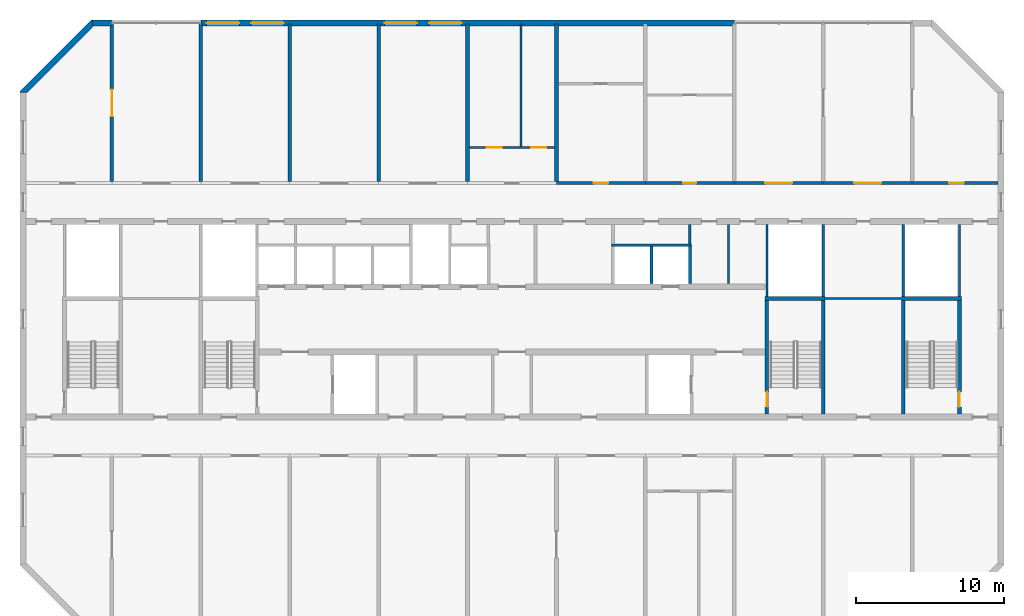
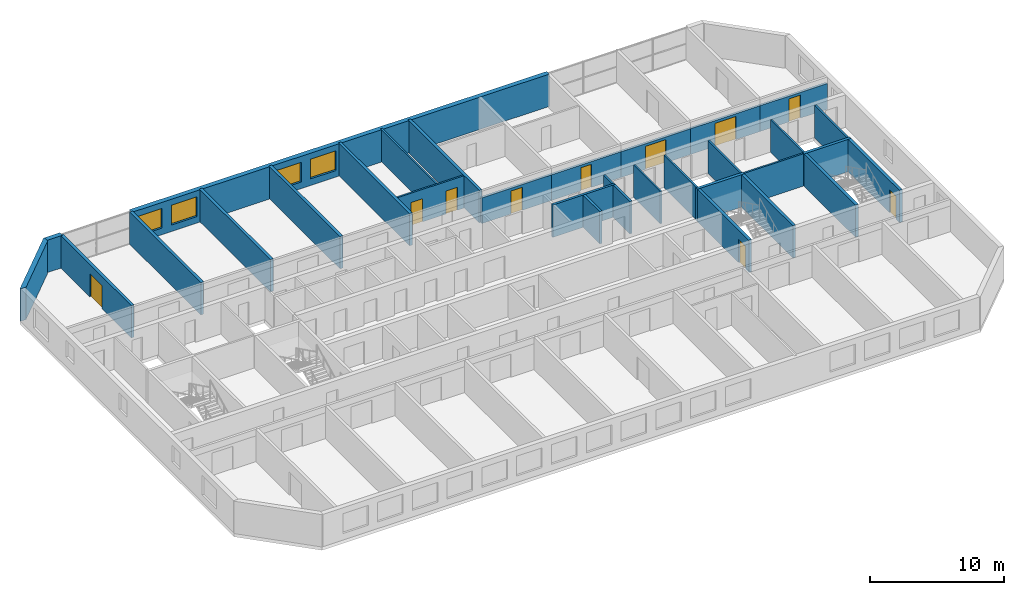
# One storey, part 9 of 13: 32 walls, 10 doors, 4 windows, 14 openings.
"""IFC4 building model written with IfcOpenShell, lengths in metres."""

import ifcopenshell
import ifcopenshell.guid

model = None  # the IFC model being written
_history = None  # IfcOwnerHistory: only IFC2X3 demands one
_inside = {}  # id of a spatial element -> (the spatial element, [elements in it])
_under = {}  # id of a project, library or spatial element -> (it, [spatial elements below it])
_declared = {}  # id of a project -> (the project, [libraries it declares])
_typed = {}  # id of a type object -> (the type object, [elements of that type])
_made_of = {}  # id of a material, layer set ... -> (it, [elements and type objects made of it])


def new_model(schema):
    """Start an empty IFC model of exactly this schema.

    Asked for "IFC4X3", IfcOpenShell would pick the latest addendum, in which some entities
    have other attributes; the version numbers below select the first issue.
    IFC2X3 requires an IfcOwnerHistory on every rooted entity: one is made here for all.
    """
    global model, _history
    if schema == "IFC4X3":
        model = ifcopenshell.file(schema_version=(4, 3, 0, 0))
    else:
        model = ifcopenshell.file(schema=schema)
    _inside.clear()
    _under.clear()
    _declared.clear()
    _typed.clear()
    _made_of.clear()
    _history = None
    if model.schema == "IFC2X3":
        org = make("IfcOrganization", Name="unknown")
        user = make(
            "IfcPersonAndOrganization",
            ThePerson=make("IfcPerson", FamilyName="unknown"),
            TheOrganization=org,
        )
        app = make(
            "IfcApplication",
            ApplicationDeveloper=org,
            Version="unknown",
            ApplicationFullName="unknown",
            ApplicationIdentifier="unknown",
        )
        _history = make(
            "IfcOwnerHistory",
            OwningUser=user,
            OwningApplication=app,
            ChangeAction="ADDED",
            CreationDate=0,
        )
    return model


def make(cls, **values):
    """One entity of the class cls with the attributes given. An attribute that is None is left unset."""
    return model.create_entity(
        cls, **{name: value for name, value in values.items() if value is not None}
    )


def rooted(cls, **values):
    """An entity with a GlobalId (a new one), such as an element, a storey or a relation."""
    return make(cls, GlobalId=ifcopenshell.guid.new(), OwnerHistory=_history, **values)


def si_unit(unit_type, name, prefix=None):
    """IfcSIUnit, for example si_unit("LENGTHUNIT", "METRE", prefix="MILLI")."""
    return make("IfcSIUnit", UnitType=unit_type, Prefix=prefix, Name=name)


def assignment(units):
    """IfcUnitAssignment: the units of a project."""
    return None if units is None else make("IfcUnitAssignment", Units=units)


def point(xyz):
    """IfcCartesianPoint."""
    return None if xyz is None else make("IfcCartesianPoint", Coordinates=xyz)


def direction(xyz):
    """IfcDirection."""
    return None if xyz is None else make("IfcDirection", DirectionRatios=xyz)


def frame(location, z_axis=None, x_axis=None):
    """IfcAxis2Placement3D, a coordinate frame: its origin and axes. An axis left out is left unset."""
    return make(
        "IfcAxis2Placement3D",
        Location=point(location),
        Axis=direction(z_axis),
        RefDirection=direction(x_axis),
    )


def frame_2d(location, x_axis=None):
    """IfcAxis2Placement2D, a coordinate frame in the plane: its origin and x axis."""
    return make(
        "IfcAxis2Placement2D", Location=point(location), RefDirection=direction(x_axis)
    )


def origin():
    """The frame at (0, 0, 0) with its axes left unset."""
    return frame((0.0, 0.0, 0.0))


def place(relative_to, where):
    """IfcLocalPlacement: puts the frame where relative to a parent placement (None: the world)."""
    return make(
        "IfcLocalPlacement", PlacementRelTo=relative_to, RelativePlacement=where
    )


def context(
    kind, dimensions, precision=None, world=None, true_north=None, identifier=None
):
    """IfcGeometricRepresentationContext, for example the 3D "Model" context."""
    return make(
        "IfcGeometricRepresentationContext",
        ContextIdentifier=identifier,
        ContextType=kind,
        CoordinateSpaceDimension=dimensions,
        Precision=precision,
        WorldCoordinateSystem=world,
        TrueNorth=true_north,
    )


def subcontext(parent, identifier, kind, view, scale=None):
    """IfcGeometricRepresentationSubContext, for example "Body" below "Model"."""
    return make(
        "IfcGeometricRepresentationSubContext",
        ContextIdentifier=identifier,
        ContextType=kind,
        ParentContext=parent,
        TargetScale=scale,
        TargetView=view,
    )


def project(units=None, contexts=None):
    """IfcProject with its units and contexts."""
    return rooted(
        "IfcProject",
        Name="project",
        RepresentationContexts=contexts,
        UnitsInContext=assignment(units),
    )


def spatial(cls, under=None, at=None, **own):
    """A site, building, storey or space (cls), placed at a placement, below another one or the project."""
    s = rooted(cls, ObjectPlacement=at, **own)
    if under is not None:
        _under.setdefault(under.id(), (under, []))[1].append(s)
    return s


def polyline(points):
    """IfcPolyline through the points."""
    return make("IfcPolyline", Points=[point(p) for p in points])


def profile(cls, at=None, kind="AREA", **sizes):
    """A parametric profile (cls). Its sizes go by their IFC names, for example OverallWidth=200.0."""
    return make(cls, ProfileType=kind, Position=at, **sizes)


def rectangle(**sizes):
    """IfcRectangleProfileDef."""
    return profile("IfcRectangleProfileDef", **sizes)


def outline(outer, holes=None, kind="AREA"):
    """IfcArbitraryClosedProfileDef: a profile drawn as a closed curve; with holes, ...WithVoids."""
    if holes is None:
        return make("IfcArbitraryClosedProfileDef", ProfileType=kind, OuterCurve=outer)
    return make(
        "IfcArbitraryProfileDefWithVoids",
        ProfileType=kind,
        OuterCurve=outer,
        InnerCurves=holes,
    )


def extrude(swept, where, along, depth):
    """IfcExtrudedAreaSolid: the profile swept, set in the frame where, extruded along a direction by depth."""
    return make(
        "IfcExtrudedAreaSolid",
        SweptArea=swept,
        Position=where,
        ExtrudedDirection=direction(along),
        Depth=depth,
    )


def shape(context_of_items, identifier, shape_type, items):
    """IfcShapeRepresentation: the items that make up one representation, for example the "Body"."""
    return make(
        "IfcShapeRepresentation",
        ContextOfItems=context_of_items,
        RepresentationIdentifier=identifier,
        RepresentationType=shape_type,
        Items=items,
    )


def material(Name=None, Category=None):
    """IfcMaterial."""
    return make("IfcMaterial", Name=Name, Category=Category)


def layer(
    of_material, thickness, ventilated=None, Name=None, Category=None, Priority=None
):
    """IfcMaterialLayer: one layer of a wall or slab, of a material (None: an air gap)."""
    return make(
        "IfcMaterialLayer",
        Material=of_material,
        LayerThickness=thickness,
        IsVentilated=ventilated,
        Name=Name,
        Category=Category,
        Priority=Priority,
    )


def layer_set(layers, Name=None):
    """IfcMaterialLayerSet."""
    return make("IfcMaterialLayerSet", MaterialLayers=layers, LayerSetName=Name)


def made_of(thing, what):
    """Note that an element or type object is made of a material, layer set ...; save() writes the relation."""
    if what is not None:
        _made_of.setdefault(what.id(), (what, []))[1].append(thing)
    return thing


def type_object(cls, material=None, **own):
    """A type object (cls), such as IfcWallType, which elements share."""
    return made_of(rooted(cls, **own), material)


def element(
    cls,
    number,
    at=None,
    inside=None,
    cuts=None,
    type_object=None,
    material=None,
    context=None,
    identifier="Body",
    shape_type=None,
    held_by="IfcProductDefinitionShape",
    body=None,
    shapes=None,
    **own,
):
    """One element of the class cls, such as IfcWall. Its Tag is "e" and its number.

    at: its placement. inside: the storey or other place that contains it. cuts: it is an
    opening in that element (IfcRelVoidsElement). A single representation is given by context,
    identifier, shape_type and body (its items); several are given by shapes. held_by: the class
    of the entity that holds the representations. save() writes the other relations.
    """
    e = rooted(cls, Tag="e%d" % number, ObjectPlacement=at, **own)
    if body is not None:
        shapes = [shape(context, identifier, shape_type, body)]
    if shapes is not None:
        e.Representation = make(held_by, Representations=shapes)
    if inside is not None:
        _inside.setdefault(inside.id(), (inside, []))[1].append(e)
    if cuts is not None:
        rooted(
            "IfcRelVoidsElement", RelatingBuildingElement=cuts, RelatedOpeningElement=e
        )
    if type_object is not None:
        _typed.setdefault(type_object.id(), (type_object, []))[1].append(e)
    return made_of(e, material)


def fill(opening, filler):
    """IfcRelFillsElement: the door or window that sits in an opening."""
    return rooted(
        "IfcRelFillsElement",
        RelatingOpeningElement=opening,
        RelatedBuildingElement=filler,
    )


def aggregate(whole, parts):
    """IfcRelAggregates: a whole, such as a stair, and the parts it consists of."""
    return rooted("IfcRelAggregates", RelatingObject=whole, RelatedObjects=parts)


def save(model, path):
    """Write the relations noted so far, then the file.

    IfcRelAggregates (storeys below a building ...), IfcRelContainedInSpatialStructure (elements
    in a storey), IfcRelDefinesByType, IfcRelAssociatesMaterial and IfcRelDeclares: one each for
    every whole, place, type object, material and project.
    """
    for whole, parts in _under.values():
        aggregate(whole, parts)
    for where, things in _inside.values():
        rooted(
            "IfcRelContainedInSpatialStructure",
            RelatedElements=things,
            RelatingStructure=where,
        )
    for kind, things in _typed.values():
        rooted("IfcRelDefinesByType", RelatedObjects=things, RelatingType=kind)
    for what, things in _made_of.values():
        rooted("IfcRelAssociatesMaterial", RelatedObjects=things, RelatingMaterial=what)
    for by, libraries in _declared.values():
        rooted("IfcRelDeclares", RelatingContext=by, RelatedDefinitions=libraries)
    model.write(path)


model = new_model("IFC4")

# Units and contexts
model_context = context("Model", 3, precision=1e-05, world=origin(), true_north=direction((0.0, 1.0)))
body_context = subcontext(model_context, "Body", "Model", "MODEL_VIEW")
ifc_project = project(units=[si_unit("LENGTHUNIT", "METRE"), si_unit("AREAUNIT", "SQUARE_METRE"), si_unit("VOLUMEUNIT", "CUBIC_METRE"), si_unit("PLANEANGLEUNIT", "RADIAN"), si_unit("MASSUNIT", "GRAM", prefix="KILO")], contexts=[model_context])

# Site, building, storey
site_placement = place(None, origin())
site = spatial("IfcSite", under=ifc_project, at=site_placement, CompositionType="ELEMENT")
building_placement = place(site_placement, origin())
building = spatial("IfcBuilding", under=site, at=building_placement, Name="Poui Terraces", CompositionType="ELEMENT")
storey_placement = place(building_placement, frame((0.0, 0.0, 211.5)))
storey = spatial("IfcBuildingStorey", under=building, at=storey_placement, Name="L59", CompositionType="ELEMENT", Elevation=211.5)

# Wall, openings, doors
ifc_material_1 = material(Name="Fire-rated plasterboard wall")
ifc_layer_1 = layer(ifc_material_1, 0.14990234375)
ifc_layer_set_1 = layer_set([ifc_layer_1], Name="Fire-rated plasterboard wall")
wall_type_1 = type_object("IfcWallType", Name="CORRIDOR WALL 150", PredefinedType="PARTITIONING", material=ifc_layer_set_1)
wall_1_placement = place(storey_placement, frame((48.135009765625, 32.800048828125, 0.0), z_axis=(0.0, 0.0, 1.0), x_axis=(1.0, 0.0, 0.0)))
wall_1 = element("IfcWall", 1, at=wall_1_placement, inside=storey, type_object=wall_type_1, Name="CORRIDOR WALL 150", PredefinedType="PARTITIONING", context=body_context, shape_type="SweptSolid", body=[
    extrude(rectangle(XDim=5.72998046875, YDim=0.14990234375, at=frame_2d((2.864990234375, 0.0))), origin(), (0.0, 0.0, 1.0), 2.949951171875),
])
opening_1_placement = place(wall_1_placement, frame((1.1650390625, 0.0, 0.0)))
opening_1 = element("IfcOpeningElement", 2, at=opening_1_placement, cuts=wall_1, Name="Opening D100", PredefinedType="OPENING", context=body_context, shape_type="SweptSolid", body=[
    extrude(rectangle(XDim=1.0, YDim=2.10009765625, at=frame_2d((0.5, 1.050048828125))), frame((0.0, 0.0849609375, 0.0), z_axis=(0.0, -1.0, 0.0), x_axis=(1.0, 0.0, 0.0)), (0.0, 0.0, 1.0), 0.169921875),
])
opening_2_placement = place(wall_1_placement, frame((4.1650390625, 0.0, 0.0)))
opening_2 = element("IfcOpeningElement", 3, at=opening_2_placement, cuts=wall_1, Name="Opening D100", PredefinedType="OPENING", context=body_context, shape_type="SweptSolid", body=[
    extrude(rectangle(XDim=1.0, YDim=2.10009765625, at=frame_2d((0.5, 1.050048828125))), frame((0.0, 0.0849609375, 0.0), z_axis=(0.0, -1.0, 0.0), x_axis=(1.0, 0.0, 0.0)), (0.0, 0.0, 1.0), 0.169921875),
])
ifc_material_2 = material(Name="Solid core timber door", Category="wood")
door_type_1 = type_object("IfcDoorType", Name="ACCESSIBLE INTERNAL DOOR 1000 X 2100", OperationType="NOTDEFINED", PredefinedType="DOOR", material=ifc_material_2)
door_1_placement = place(opening_1_placement, frame((1.0, 0.0, 0.0), z_axis=(0.0, 0.0, 1.0), x_axis=(-1.0, 0.0, 0.0)))
door_1 = element("IfcDoor", 4, at=door_1_placement, inside=storey, type_object=door_type_1, Name="ACCESSIBLE INTERNAL DOOR 050", OperationType="SINGLE_SWING_LEFT", OverallHeight=2.10009765625, OverallWidth=1.0, PredefinedType="DOOR", context=body_context, shape_type="SweptSolid", body=[
    extrude(rectangle(XDim=1.0, YDim=2.10009765625, at=frame_2d((0.5, 1.050048828125))), frame((0.0, 0.02490234375, 0.0), z_axis=(0.0, -1.0, 0.0), x_axis=(1.0, 0.0, 0.0)), (0.0, 0.0, 1.0), 0.050048828125),
])
fill(opening_1, door_1)
door_2_placement = place(opening_2_placement, frame((1.0, 0.0, 0.0), z_axis=(0.0, 0.0, 1.0), x_axis=(-1.0, 0.0, 0.0)))
door_2 = element("IfcDoor", 5, at=door_2_placement, inside=storey, type_object=door_type_1, Name="ACCESSIBLE INTERNAL DOOR 051", OperationType="SINGLE_SWING_RIGHT", OverallHeight=2.10009765625, OverallWidth=1.0, PredefinedType="DOOR", context=body_context, shape_type="SweptSolid", body=[
    extrude(rectangle(XDim=1.0, YDim=2.10009765625, at=frame_2d((0.5, 1.050048828125))), frame((0.0, 0.02490234375, 0.0), z_axis=(0.0, -1.0, 0.0), x_axis=(1.0, 0.0, 0.0)), (0.0, 0.0, 1.0), 0.050048828125),
])
fill(opening_2, door_2)

# Wall, opening, door
ifc_material_3 = material(Name="Concrete 50 MPa", Category="concrete")
ifc_layer_2 = layer(ifc_material_3, 0.199951171875)
ifc_layer_set_2 = layer_set([ifc_layer_2], Name="Concrete 50 MPa")
wall_type_2 = type_object("IfcWallType", Name="CORRIDOR WALL 200 50MPa", PredefinedType="SHEAR", material=ifc_layer_set_2)
wall_2_placement = place(storey_placement, frame((54.0, 30.39990234375, 0.0), z_axis=(0.0, 0.0, 1.0), x_axis=(1.0, 0.0, 0.0)))
wall_2 = element("IfcWall", 6, at=wall_2_placement, inside=storey, type_object=wall_type_2, Name="CORRIDOR WALL LINE E BAY 7", PredefinedType="SHEAR", context=body_context, shape_type="SweptSolid", body=[
    extrude(rectangle(XDim=6.0, YDim=0.199951171875, at=frame_2d((3.0, 0.0))), origin(), (0.0, 0.0, 1.0), 2.35009765625),
])
opening_3_placement = place(wall_2_placement, frame((2.5, 0.0, 0.0)))
opening_3 = element("IfcOpeningElement", 7, at=opening_3_placement, cuts=wall_2, Name="Opening D100", PredefinedType="OPENING", context=body_context, shape_type="SweptSolid", body=[
    extrude(rectangle(XDim=1.0, YDim=2.10009765625, at=frame_2d((0.5, 1.050048828125))), frame((0.0, 0.10986328125, 0.0), z_axis=(0.0, -1.0, 0.0), x_axis=(1.0, 0.0, 0.0)), (0.0, 0.0, 1.0), 0.219970703125),
])
door_3_placement = place(opening_3_placement, frame((1.0, 0.0, 0.0), z_axis=(0.0, 0.0, 1.0), x_axis=(-1.0, 0.0, 0.0)))
door_3 = element("IfcDoor", 8, at=door_3_placement, inside=storey, type_object=door_type_1, Name="ACCESSIBLE INTERNAL DOOR 016", OperationType="SINGLE_SWING_RIGHT", OverallHeight=2.10009765625, OverallWidth=1.0, PredefinedType="DOOR", context=body_context, shape_type="SweptSolid", body=[
    extrude(rectangle(XDim=1.0, YDim=2.10009765625, at=frame_2d((0.5, 1.050048828125))), frame((0.0, 0.02490234375, 0.0), z_axis=(0.0, -1.0, 0.0), x_axis=(1.0, 0.0, 0.0)), (0.0, 0.0, 1.0), 0.050048828125),
])
fill(opening_3, door_3)

wall_3_placement = place(storey_placement, frame((60.0, 30.39990234375, 0.0), z_axis=(0.0, 0.0, 1.0), x_axis=(1.0, 0.0, 0.0)))
wall_3 = element("IfcWall", 9, at=wall_3_placement, inside=storey, type_object=wall_type_2, Name="CORRIDOR WALL LINE E BAY 8", PredefinedType="SHEAR", context=body_context, shape_type="SweptSolid", body=[
    extrude(rectangle(XDim=6.0, YDim=0.199951171875, at=frame_2d((3.0, 0.0))), origin(), (0.0, 0.0, 1.0), 2.35009765625),
])
opening_4_placement = place(wall_3_placement, frame((2.550048828125, 0.0, 0.0)))
opening_4 = element("IfcOpeningElement", 10, at=opening_4_placement, cuts=wall_3, Name="Opening D90", PredefinedType="OPENING", context=body_context, shape_type="SweptSolid", body=[
    extrude(rectangle(XDim=0.89990234375, YDim=2.10009765625, at=frame_2d((0.449951171875, 1.050048828125))), frame((0.0, 0.10986328125, 0.0), z_axis=(0.0, -1.0, 0.0), x_axis=(1.0, 0.0, 0.0)), (0.0, 0.0, 1.0), 0.219970703125),
])
door_type_2 = type_object("IfcDoorType", Name="INTERNAL DOOR 900 X 2100", OperationType="NOTDEFINED", PredefinedType="DOOR", material=ifc_material_2)
door_4_placement = place(opening_4_placement, frame((0.89990234375, 0.0, 0.0), z_axis=(0.0, 0.0, 1.0), x_axis=(-1.0, 0.0, 0.0)))
door_4 = element("IfcDoor", 11, at=door_4_placement, inside=storey, type_object=door_type_2, Name="INTERNAL DOOR 018", OperationType="SINGLE_SWING_LEFT", OverallHeight=2.10009765625, OverallWidth=0.89990234375, PredefinedType="DOOR", context=body_context, shape_type="SweptSolid", body=[
    extrude(rectangle(XDim=0.89990234375, YDim=2.10009765625, at=frame_2d((0.449951171875, 1.050048828125))), frame((0.0, 0.02490234375, 0.0), z_axis=(0.0, -1.0, 0.0), x_axis=(1.0, 0.0, 0.0)), (0.0, 0.0, 1.0), 0.050048828125),
])
fill(opening_4, door_4)

wall_4_placement = place(storey_placement, frame((66.0, 30.39990234375, 0.0), z_axis=(0.0, 0.0, 1.0), x_axis=(1.0, 0.0, 0.0)))
wall_4 = element("IfcWall", 12, at=wall_4_placement, inside=storey, type_object=wall_type_2, Name="CORRIDOR WALL LINE E BAY 9", PredefinedType="SHEAR", context=body_context, shape_type="SweptSolid", body=[
    extrude(rectangle(XDim=6.0, YDim=0.199951171875, at=frame_2d((3.0, 0.0))), origin(), (0.0, 0.0, 1.0), 2.35009765625),
])
opening_5_placement = place(wall_4_placement, frame((2.10009765625, 0.0, 0.0)))
opening_5 = element("IfcOpeningElement", 13, at=opening_5_placement, cuts=wall_4, Name="Opening DD180", PredefinedType="OPENING", context=body_context, shape_type="SweptSolid", body=[
    extrude(rectangle(XDim=1.800048828125, YDim=2.10009765625, at=frame_2d((0.89990234375, 1.050048828125))), frame((0.0, 0.10986328125, 0.0), z_axis=(0.0, -1.0, 0.0), x_axis=(1.0, 0.0, 0.0)), (0.0, 0.0, 1.0), 0.219970703125),
])
ifc_material_4 = material(Name="Steel fire door", Category="steel")
door_type_3 = type_object("IfcDoorType", Name="DOUBLE INTERNAL DOOR 1800 X 2100", OperationType="DOUBLE_DOOR_SINGLE_SWING", PredefinedType="DOOR", material=ifc_material_4)
door_5_placement = place(opening_5_placement, frame((1.800048828125, 0.0, 0.0), z_axis=(0.0, 0.0, 1.0), x_axis=(-1.0, 0.0, 0.0)))
door_5 = element("IfcDoor", 14, at=door_5_placement, inside=storey, type_object=door_type_3, Name="DOUBLE INTERNAL DOOR 021", OperationType="DOUBLE_DOOR_SINGLE_SWING", OverallHeight=2.10009765625, OverallWidth=1.800048828125, PredefinedType="DOOR", context=body_context, shape_type="SweptSolid", body=[
    extrude(rectangle(XDim=1.800048828125, YDim=2.10009765625, at=frame_2d((0.89990234375, 1.050048828125))), frame((0.0, 0.02490234375, 0.0), z_axis=(0.0, -1.0, 0.0), x_axis=(1.0, 0.0, 0.0)), (0.0, 0.0, 1.0), 0.050048828125),
])
fill(opening_5, door_5)

wall_5_placement = place(storey_placement, frame((72.0, 30.39990234375, 0.0), z_axis=(0.0, 0.0, 1.0), x_axis=(1.0, 0.0, 0.0)))
wall_5 = element("IfcWall", 15, at=wall_5_placement, inside=storey, type_object=wall_type_2, Name="CORRIDOR WALL LINE E BAY 10", PredefinedType="SHEAR", context=body_context, shape_type="SweptSolid", body=[
    extrude(rectangle(XDim=6.0, YDim=0.199951171875, at=frame_2d((3.0, 0.0))), origin(), (0.0, 0.0, 1.0), 2.35009765625),
])
opening_6_placement = place(wall_5_placement, frame((2.10009765625, 0.0, 0.0)))
opening_6 = element("IfcOpeningElement", 16, at=opening_6_placement, cuts=wall_5, Name="Opening DD180", PredefinedType="OPENING", context=body_context, shape_type="SweptSolid", body=[
    extrude(rectangle(XDim=1.800048828125, YDim=2.10009765625, at=frame_2d((0.89990234375, 1.050048828125))), frame((0.0, 0.10986328125, 0.0), z_axis=(0.0, -1.0, 0.0), x_axis=(1.0, 0.0, 0.0)), (0.0, 0.0, 1.0), 0.219970703125),
])
door_6_placement = place(opening_6_placement, frame((1.800048828125, 0.0, 0.0), z_axis=(0.0, 0.0, 1.0), x_axis=(-1.0, 0.0, 0.0)))
door_6 = element("IfcDoor", 17, at=door_6_placement, inside=storey, type_object=door_type_3, Name="DOUBLE INTERNAL DOOR 024", OperationType="DOUBLE_DOOR_SINGLE_SWING", OverallHeight=2.10009765625, OverallWidth=1.800048828125, PredefinedType="DOOR", context=body_context, shape_type="SweptSolid", body=[
    extrude(rectangle(XDim=1.800048828125, YDim=2.10009765625, at=frame_2d((0.89990234375, 1.050048828125))), frame((0.0, 0.02490234375, 0.0), z_axis=(0.0, -1.0, 0.0), x_axis=(1.0, 0.0, 0.0)), (0.0, 0.0, 1.0), 0.050048828125),
])
fill(opening_6, door_6)

wall_6_placement = place(storey_placement, frame((78.0, 30.39990234375, 0.0), z_axis=(0.0, 0.0, 1.0), x_axis=(1.0, 0.0, 0.0)))
wall_6 = element("IfcWall", 18, at=wall_6_placement, inside=storey, type_object=wall_type_2, Name="CORRIDOR WALL LINE E BAY 11", PredefinedType="SHEAR", context=body_context, shape_type="SweptSolid", body=[
    extrude(rectangle(XDim=5.800048828125, YDim=0.199951171875, at=frame_2d((2.89990234375, 0.0))), origin(), (0.0, 0.0, 1.0), 2.35009765625),
])
opening_7_placement = place(wall_6_placement, frame((2.5, 0.0, 0.0)))
opening_7 = element("IfcOpeningElement", 19, at=opening_7_placement, cuts=wall_6, Name="Opening D100", PredefinedType="OPENING", context=body_context, shape_type="SweptSolid", body=[
    extrude(rectangle(XDim=1.0, YDim=2.10009765625, at=frame_2d((0.5, 1.050048828125))), frame((0.0, 0.10986328125, 0.0), z_axis=(0.0, -1.0, 0.0), x_axis=(1.0, 0.0, 0.0)), (0.0, 0.0, 1.0), 0.219970703125),
])
door_7_placement = place(opening_7_placement, frame((1.0, 0.0, 0.0), z_axis=(0.0, 0.0, 1.0), x_axis=(-1.0, 0.0, 0.0)))
door_7 = element("IfcDoor", 20, at=door_7_placement, inside=storey, type_object=door_type_1, Name="ACCESSIBLE INTERNAL DOOR 026", OperationType="SINGLE_SWING_RIGHT", OverallHeight=2.10009765625, OverallWidth=1.0, PredefinedType="DOOR", context=body_context, shape_type="SweptSolid", body=[
    extrude(rectangle(XDim=1.0, YDim=2.10009765625, at=frame_2d((0.5, 1.050048828125))), frame((0.0, 0.02490234375, 0.0), z_axis=(0.0, -1.0, 0.0), x_axis=(1.0, 0.0, 0.0)), (0.0, 0.0, 1.0), 0.050048828125),
])
fill(opening_7, door_7)

ifc_layer_3 = layer(ifc_material_3, 0.25)
ifc_layer_set_3 = layer_set([ifc_layer_3], Name="Concrete 50 MPa")
wall_type_3 = type_object("IfcWallType", Name="CROSS WALL 250 50MPa", PredefinedType="SHEAR", material=ifc_layer_set_3)
wall_7_placement = place(storey_placement, frame((24.0, 30.5, 0.0), z_axis=(0.0, 0.0, 1.0), x_axis=(0.0, 1.0, 0.0)))
wall_7 = element("IfcWall", 21, at=wall_7_placement, inside=storey, type_object=wall_type_3, Name="CROSS WALL LINE 5 NORTH", PredefinedType="SHEAR", context=body_context, shape_type="SweptSolid", body=[
    extrude(rectangle(XDim=10.625, YDim=0.25, at=frame_2d((5.3125, 0.0))), origin(), (0.0, 0.0, 1.0), 2.949951171875),
])
opening_8_placement = place(wall_7_placement, frame((4.39990234375, 0.0, 0.0)))
opening_8 = element("IfcOpeningElement", 22, at=opening_8_placement, cuts=wall_7, Name="Opening DD180", PredefinedType="OPENING", context=body_context, shape_type="SweptSolid", body=[
    extrude(rectangle(XDim=1.800048828125, YDim=2.10009765625, at=frame_2d((0.89990234375, 1.050048828125))), frame((0.0, 0.135009765625, 0.0), z_axis=(0.0, -1.0, 0.0), x_axis=(1.0, 0.0, 0.0)), (0.0, 0.0, 1.0), 0.27001953125),
])
door_8_placement = place(opening_8_placement, origin())
door_8 = element("IfcDoor", 23, at=door_8_placement, inside=storey, type_object=door_type_3, Name="DOUBLE INTERNAL DOOR 049", OperationType="DOUBLE_DOOR_SINGLE_SWING", OverallHeight=2.10009765625, OverallWidth=1.800048828125, PredefinedType="DOOR", context=body_context, shape_type="SweptSolid", body=[
    extrude(rectangle(XDim=1.800048828125, YDim=2.10009765625, at=frame_2d((0.89990234375, 1.050048828125))), frame((0.0, 0.02490234375, 0.0), z_axis=(0.0, -1.0, 0.0), x_axis=(1.0, 0.0, 0.0)), (0.0, 0.0, 1.0), 0.050048828125),
])
fill(opening_8, door_8)

# Walls
for number, where, z_axis, x_axis, name in (
    (24, (30.0, 30.5, 0.0), (0.0, 0.0, 1.0), (0.0, 1.0, 0.0), "CROSS WALL LINE 6 NORTH"),
    (25, (36.0, 30.5, 0.0), (0.0, 0.0, 1.0), (0.0, 1.0, 0.0), "CROSS WALL LINE 7 NORTH"),
    (26, (42.0, 30.5, 0.0), (0.0, 0.0, 1.0), (0.0, 1.0, 0.0), "CROSS WALL LINE 8 NORTH"),
    (27, (48.0, 30.5, 0.0), (0.0, 0.0, 1.0), (0.0, 1.0, 0.0), "CROSS WALL LINE 9 NORTH"),
    (28, (54.0, 30.5, 0.0), (0.0, 0.0, 1.0), (0.0, 1.0, 0.0), "CROSS WALL LINE 10 NORTH"),
):
    element("IfcWall", number, at=place(storey_placement, frame(where, z_axis=z_axis, x_axis=x_axis)), inside=storey, type_object=wall_type_3, Name=name, PredefinedType="SHEAR", context=body_context, shape_type="SweptSolid", body=[
        extrude(rectangle(XDim=10.625, YDim=0.25, at=frame_2d((5.3125, 0.0))), origin(), (0.0, 0.0, 1.0), 2.949951171875),
    ])

# Wall, openings, windows
ifc_material_5 = material(Name="Precast concrete 40 MPa", Category="concrete")
ifc_layer_4 = layer(ifc_material_5, 0.39990234375)
ifc_layer_set_4 = layer_set([ifc_layer_4], Name="Precast concrete 40 MPa")
wall_type_4 = type_object("IfcWallType", Name="EXTERNAL WALL 400", PredefinedType="STANDARD", material=ifc_layer_set_4)
wall_8_placement = place(storey_placement, frame((66.0, 41.199951171875, 0.0), z_axis=(0.0, 0.0, 1.0), x_axis=(-1.0, 0.0, 0.0)))
wall_8 = element("IfcWall", 29, at=wall_8_placement, inside=storey, type_object=wall_type_4, Name="EXTERNAL WALL N", PredefinedType="STANDARD", context=body_context, shape_type="SweptSolid", body=[
    extrude(rectangle(XDim=36.0, YDim=0.39990234375, at=frame_2d((18.0, 0.0))), origin(), (0.0, 0.0, 1.0), 2.949951171875),
])
opening_9_placement = place(wall_8_placement, frame((33.39990234375, 0.0, 0.60009765625)))
opening_9 = element("IfcOpeningElement", 30, at=opening_9_placement, cuts=wall_8, Name="Opening W3", PredefinedType="OPENING", context=body_context, shape_type="SweptSolid", body=[
    extrude(rectangle(XDim=2.199951171875, YDim=1.800048828125, at=frame_2d((1.10009765625, 0.89990234375))), frame((0.0, 0.2099609375, 0.0), z_axis=(0.0, -1.0, 0.0), x_axis=(1.0, 0.0, 0.0)), (0.0, 0.0, 1.0), 0.419921875),
])
opening_10_placement = place(wall_8_placement, frame((30.39990234375, 0.0, 0.60009765625)))
opening_10 = element("IfcOpeningElement", 31, at=opening_10_placement, cuts=wall_8, Name="Opening W3", PredefinedType="OPENING", context=body_context, shape_type="SweptSolid", body=[
    extrude(rectangle(XDim=2.199951171875, YDim=1.800048828125, at=frame_2d((1.10009765625, 0.89990234375))), frame((0.0, 0.2099609375, 0.0), z_axis=(0.0, -1.0, 0.0), x_axis=(1.0, 0.0, 0.0)), (0.0, 0.0, 1.0), 0.419921875),
])
opening_11_placement = place(wall_8_placement, frame((21.39990234375, 0.0, 0.60009765625)))
opening_11 = element("IfcOpeningElement", 32, at=opening_11_placement, cuts=wall_8, Name="Opening W3", PredefinedType="OPENING", context=body_context, shape_type="SweptSolid", body=[
    extrude(rectangle(XDim=2.199951171875, YDim=1.800048828125, at=frame_2d((1.10009765625, 0.89990234375))), frame((0.0, 0.2099609375, 0.0), z_axis=(0.0, -1.0, 0.0), x_axis=(1.0, 0.0, 0.0)), (0.0, 0.0, 1.0), 0.419921875),
])
opening_12_placement = place(wall_8_placement, frame((18.39990234375, 0.0, 0.60009765625)))
opening_12 = element("IfcOpeningElement", 33, at=opening_12_placement, cuts=wall_8, Name="Opening W3", PredefinedType="OPENING", context=body_context, shape_type="SweptSolid", body=[
    extrude(rectangle(XDim=2.199951171875, YDim=1.800048828125, at=frame_2d((1.10009765625, 0.89990234375))), frame((0.0, 0.2099609375, 0.0), z_axis=(0.0, -1.0, 0.0), x_axis=(1.0, 0.0, 0.0)), (0.0, 0.0, 1.0), 0.419921875),
])
ifc_material_6 = material(Name="Clear glass in aluminium frame", Category="aluminium")
window_type = type_object("IfcWindowType", Name="WINDOW 2200X1800", PartitioningType="DOUBLE_PANEL_HORIZONTAL", PredefinedType="WINDOW", material=ifc_material_6)
window_1_placement = place(opening_9_placement, origin())
window_1 = element("IfcWindow", 34, at=window_1_placement, inside=storey, type_object=window_type, Name="W3 WINDOW", OverallHeight=1.800048828125, OverallWidth=2.199951171875, PartitioningType="DOUBLE_PANEL_HORIZONTAL", PredefinedType="WINDOW", context=body_context, shape_type="SweptSolid", body=[
    extrude(rectangle(XDim=2.199951171875, YDim=1.800048828125, at=frame_2d((1.10009765625, 0.89990234375))), frame((0.0, 0.030029296875, 0.0), z_axis=(0.0, -1.0, 0.0), x_axis=(1.0, 0.0, 0.0)), (0.0, 0.0, 1.0), 0.06005859375),
])
fill(opening_9, window_1)
window_2_placement = place(opening_10_placement, origin())
window_2 = element("IfcWindow", 35, at=window_2_placement, inside=storey, type_object=window_type, Name="W3 WINDOW", OverallHeight=1.800048828125, OverallWidth=2.199951171875, PartitioningType="DOUBLE_PANEL_HORIZONTAL", PredefinedType="WINDOW", context=body_context, shape_type="SweptSolid", body=[
    extrude(rectangle(XDim=2.199951171875, YDim=1.800048828125, at=frame_2d((1.10009765625, 0.89990234375))), frame((0.0, 0.030029296875, 0.0), z_axis=(0.0, -1.0, 0.0), x_axis=(1.0, 0.0, 0.0)), (0.0, 0.0, 1.0), 0.06005859375),
])
fill(opening_10, window_2)
window_3_placement = place(opening_11_placement, origin())
window_3 = element("IfcWindow", 36, at=window_3_placement, inside=storey, type_object=window_type, Name="W3 WINDOW", OverallHeight=1.800048828125, OverallWidth=2.199951171875, PartitioningType="DOUBLE_PANEL_HORIZONTAL", PredefinedType="WINDOW", context=body_context, shape_type="SweptSolid", body=[
    extrude(rectangle(XDim=2.199951171875, YDim=1.800048828125, at=frame_2d((1.10009765625, 0.89990234375))), frame((0.0, 0.030029296875, 0.0), z_axis=(0.0, -1.0, 0.0), x_axis=(1.0, 0.0, 0.0)), (0.0, 0.0, 1.0), 0.06005859375),
])
fill(opening_11, window_3)
window_4_placement = place(opening_12_placement, origin())
window_4 = element("IfcWindow", 37, at=window_4_placement, inside=storey, type_object=window_type, Name="W3 WINDOW", OverallHeight=1.800048828125, OverallWidth=2.199951171875, PartitioningType="DOUBLE_PANEL_HORIZONTAL", PredefinedType="WINDOW", context=body_context, shape_type="SweptSolid", body=[
    extrude(rectangle(XDim=2.199951171875, YDim=1.800048828125, at=frame_2d((1.10009765625, 0.89990234375))), frame((0.0, 0.030029296875, 0.0), z_axis=(0.0, -1.0, 0.0), x_axis=(1.0, 0.0, 0.0)), (0.0, 0.0, 1.0), 0.06005859375),
])
fill(opening_12, window_4)

# Walls
wall_9_placement = place(storey_placement, frame((24.0, 41.199951171875, 0.0), z_axis=(0.0, 0.0, 1.0), x_axis=(-1.0, 0.0, 0.0)))
element("IfcWall", 38, at=wall_9_placement, inside=storey, type_object=wall_type_4, Name="EXTERNAL WALL N", PredefinedType="STANDARD", context=body_context, shape_type="SweptSolid", body=[
    extrude(rectangle(XDim=1.317138671875, YDim=0.39990234375, at=frame_2d((0.65869140625, 0.0))), origin(), (0.0, 0.0, 1.0), 2.949951171875),
])
ifc_material_7 = material(Name="Plasterboard partition")
ifc_layer_5 = layer(ifc_material_7, 0.14990234375)
ifc_layer_set_5 = layer_set([ifc_layer_5], Name="Plasterboard partition")
wall_type_5 = type_object("IfcWallType", Name="PARTITION WALL 150", PredefinedType="PARTITIONING", material=ifc_layer_set_5)
wall_10_placement = place(storey_placement, frame((72.135009765625, 22.60009765625, 0.0), z_axis=(0.0, 0.0, 1.0), x_axis=(1.0, 0.0, 0.0)))
element("IfcWall", 39, at=wall_10_placement, inside=storey, type_object=wall_type_5, Name="PARTITION WALL 150", PredefinedType="PARTITIONING", context=body_context, shape_type="SweptSolid", body=[
    extrude(rectangle(XDim=5.1298828125, YDim=0.14990234375, at=frame_2d((2.56494140625, 0.0))), origin(), (0.0, 0.0, 1.0), 2.949951171875),
])
wall_11_placement = place(storey_placement, frame((51.60009765625, 32.875, 0.0), z_axis=(0.0, 0.0, 1.0), x_axis=(0.0, 1.0, 0.0)))
element("IfcWall", 40, at=wall_11_placement, inside=storey, type_object=wall_type_5, Name="PARTITION WALL 150", PredefinedType="PARTITIONING", context=body_context, shape_type="SweptSolid", body=[
    extrude(rectangle(XDim=8.264892578125, YDim=0.14990234375, at=frame_2d((4.13232421875, 0.0))), origin(), (0.0, 0.0, 1.0), 2.949951171875),
])
wall_12_placement = place(storey_placement, frame((63.0, 26.300048828125, 0.0), z_axis=(0.0, 0.0, 1.0), x_axis=(0.0, 1.0, 0.0)))
element("IfcWall", 41, at=wall_12_placement, inside=storey, type_object=wall_type_5, Name="PARTITION WALL 150", PredefinedType="PARTITIONING", context=body_context, shape_type="SweptSolid", body=[
    extrude(rectangle(XDim=1.2900390625, YDim=0.14990234375, at=frame_2d((0.64501953125, 0.0))), origin(), (0.0, 0.0, 1.0), 2.949951171875),
])
wall_13_placement = place(storey_placement, frame((65.60009765625, 23.610107421875, 0.0), z_axis=(0.0, 0.0, 1.0), x_axis=(0.0, 1.0, 0.0)))
element("IfcWall", 42, at=wall_13_placement, inside=storey, type_object=wall_type_5, Name="PARTITION WALL 150", PredefinedType="PARTITIONING", context=body_context, shape_type="SweptSolid", body=[
    extrude(rectangle(XDim=3.97998046875, YDim=0.14990234375, at=frame_2d((1.989990234375, 0.0))), origin(), (0.0, 0.0, 1.0), 2.949951171875),
])
ifc_material_8 = material(Name="Fire-rated plasterboard riser wall")
ifc_layer_6 = layer(ifc_material_8, 0.14990234375)
ifc_layer_set_6 = layer_set([ifc_layer_6], Name="Fire-rated plasterboard riser wall")
wall_type_6 = type_object("IfcWallType", Name="RISER WALL 150", PredefinedType="PARTITIONING", material=ifc_layer_set_6)
for number, where, z_axis, x_axis, name in (
    (43, (68.199951171875, 22.735107421875, 0.0), (0.0, 0.0, 1.0), (0.0, 1.0, 0.0), "RISER WALL 150"),
    (44, (72.0, 22.735107421875, 0.0), (0.0, 0.0, 1.0), (0.0, 1.0, 0.0), "RISER WALL 150"),
    (45, (77.39990234375, 22.735107421875, 0.0), (0.0, 0.0, 1.0), (0.0, 1.0, 0.0), "RISER WALL 150"),
    (46, (81.199951171875, 22.735107421875, 0.0), (0.0, 0.0, 1.0), (0.0, 1.0, 0.0), "RISER WALL 150"),
):
    element("IfcWall", number, at=place(storey_placement, frame(where, z_axis=z_axis, x_axis=x_axis)), inside=storey, type_object=wall_type_6, Name=name, PredefinedType="PARTITIONING", context=body_context, shape_type="SweptSolid", body=[
        extrude(rectangle(XDim=4.85498046875, YDim=0.14990234375, at=frame_2d((2.427490234375, 0.0))), origin(), (0.0, 0.0, 1.0), 2.949951171875),
    ])
ifc_material_9 = material(Name="Fire-rated masonry shaft wall", Category="masonry")
ifc_layer_7 = layer(ifc_material_9, 0.199951171875)
ifc_layer_set_7 = layer_set([ifc_layer_7], Name="Fire-rated masonry shaft wall")
wall_type_7 = type_object("IfcWallType", Name="SHAFT WALL 200", PredefinedType="PARTITIONING", material=ifc_layer_set_7)
wall_14_placement = place(storey_placement, frame((57.699951171875, 26.199951171875, 0.0), z_axis=(0.0, 0.0, 1.0), x_axis=(1.0, 0.0, 0.0)))
element("IfcWall", 47, at=wall_14_placement, inside=storey, type_object=wall_type_7, Name="SHAFT WALL 200", PredefinedType="PARTITIONING", context=body_context, shape_type="SweptSolid", body=[
    extrude(rectangle(XDim=5.400146484375, YDim=0.199951171875, at=frame_2d((2.7001953125, 0.0))), origin(), (0.0, 0.0, 1.0), 2.949951171875),
])
for number, where, z_axis, x_axis, name in (
    (48, (60.39990234375, 23.610107421875, 0.0), (0.0, 0.0, 1.0), (0.0, 1.0, 0.0), "SHAFT WALL 200"),
    (49, (63.0, 23.610107421875, 0.0), (0.0, 0.0, 1.0), (0.0, 1.0, 0.0), "SHAFT WALL 200"),
):
    element("IfcWall", number, at=place(storey_placement, frame(where, z_axis=z_axis, x_axis=x_axis)), inside=storey, type_object=wall_type_7, Name=name, PredefinedType="PARTITIONING", context=body_context, shape_type="SweptSolid", body=[
        extrude(rectangle(XDim=2.489990234375, YDim=0.199951171875, at=frame_2d((1.2451171875, 0.0))), origin(), (0.0, 0.0, 1.0), 2.949951171875),
    ])

# Wall, opening, door
ifc_layer_8 = layer(ifc_material_3, 0.25)
ifc_layer_set_8 = layer_set([ifc_layer_8], Name="Concrete 50 MPa")
wall_type_8 = type_object("IfcWallType", Name="STAIR CORE WALL 250 50 MPA", PredefinedType="SOLIDWALL", material=ifc_layer_set_8)
wall_15_placement = place(storey_placement, frame((68.199951171875, 14.800048828125, 0.0), z_axis=(0.0, 0.0, 1.0), x_axis=(0.0, 1.0, 0.0)))
wall_15 = element("IfcWall", 50, at=wall_15_placement, inside=storey, type_object=wall_type_8, Name="STAIR CORE WALL", PredefinedType="SOLIDWALL", context=body_context, shape_type="SweptSolid", body=[
    extrude(rectangle(XDim=7.675048828125, YDim=0.25, at=frame_2d((3.83740234375, 0.0))), origin(), (0.0, 0.0, 1.0), 2.949951171875),
])
opening_13_placement = place(wall_15_placement, frame((0.5, 0.0, 0.0)))
opening_13 = element("IfcOpeningElement", 51, at=opening_13_placement, cuts=wall_15, Name="Opening FD60S", PredefinedType="OPENING", context=body_context, shape_type="SweptSolid", body=[
    extrude(rectangle(XDim=1.0, YDim=2.10009765625, at=frame_2d((0.5, 1.050048828125))), frame((0.0, 0.135009765625, 0.0), z_axis=(0.0, -1.0, 0.0), x_axis=(1.0, 0.0, 0.0)), (0.0, 0.0, 1.0), 0.27001953125),
])
door_type_4 = type_object("IfcDoorType", Name="STAIR DOOR 1000 X 2100", OperationType="NOTDEFINED", PredefinedType="DOOR", material=ifc_material_4)
door_9_placement = place(opening_13_placement, frame((1.0, 0.0, 0.0), z_axis=(0.0, 0.0, 1.0), x_axis=(-1.0, 0.0, 0.0)))
door_9 = element("IfcDoor", 52, at=door_9_placement, inside=storey, type_object=door_type_4, Name="STAIR DOOR 061", OperationType="SINGLE_SWING_LEFT", OverallHeight=2.10009765625, OverallWidth=1.0, PredefinedType="DOOR", context=body_context, shape_type="SweptSolid", body=[
    extrude(rectangle(XDim=1.0, YDim=2.10009765625, at=frame_2d((0.5, 1.050048828125))), frame((0.0, 0.02490234375, 0.0), z_axis=(0.0, -1.0, 0.0), x_axis=(1.0, 0.0, 0.0)), (0.0, 0.0, 1.0), 0.050048828125),
])
fill(opening_13, door_9)

# Walls
wall_16_placement = place(storey_placement, frame((72.0, 14.800048828125, 0.0), z_axis=(0.0, 0.0, 1.0), x_axis=(0.0, 1.0, 0.0)))
element("IfcWall", 53, at=wall_16_placement, inside=storey, type_object=wall_type_8, Name="STAIR CORE WALL", PredefinedType="SOLIDWALL", context=body_context, shape_type="SweptSolid", body=[
    extrude(rectangle(XDim=7.675048828125, YDim=0.25, at=frame_2d((3.83740234375, 0.0))), origin(), (0.0, 0.0, 1.0), 2.949951171875),
])
wall_17_placement = place(storey_placement, frame((68.074951171875, 22.60009765625, 0.0), z_axis=(0.0, 0.0, 1.0), x_axis=(1.0, 0.0, 0.0)))
element("IfcWall", 54, at=wall_17_placement, inside=storey, type_object=wall_type_8, Name="STAIR CORE WALL", PredefinedType="SOLIDWALL", context=body_context, shape_type="SweptSolid", body=[
    extrude(rectangle(XDim=4.050048828125, YDim=0.25, at=frame_2d((2.02490234375, 0.0))), origin(), (0.0, 0.0, 1.0), 2.949951171875),
])
wall_18_placement = place(storey_placement, frame((77.39990234375, 14.800048828125, 0.0), z_axis=(0.0, 0.0, 1.0), x_axis=(0.0, 1.0, 0.0)))
element("IfcWall", 55, at=wall_18_placement, inside=storey, type_object=wall_type_8, Name="STAIR CORE WALL", PredefinedType="SOLIDWALL", context=body_context, shape_type="SweptSolid", body=[
    extrude(rectangle(XDim=7.675048828125, YDim=0.25, at=frame_2d((3.83740234375, 0.0))), origin(), (0.0, 0.0, 1.0), 2.949951171875),
])

# Wall, opening, door
wall_19_placement = place(storey_placement, frame((81.199951171875, 14.800048828125, 0.0), z_axis=(0.0, 0.0, 1.0), x_axis=(0.0, 1.0, 0.0)))
wall_19 = element("IfcWall", 56, at=wall_19_placement, inside=storey, type_object=wall_type_8, Name="STAIR CORE WALL", PredefinedType="SOLIDWALL", context=body_context, shape_type="SweptSolid", body=[
    extrude(rectangle(XDim=7.675048828125, YDim=0.25, at=frame_2d((3.83740234375, 0.0))), origin(), (0.0, 0.0, 1.0), 2.949951171875),
])
opening_14_placement = place(wall_19_placement, frame((0.5, 0.0, 0.0)))
opening_14 = element("IfcOpeningElement", 57, at=opening_14_placement, cuts=wall_19, Name="Opening FD60S", PredefinedType="OPENING", context=body_context, shape_type="SweptSolid", body=[
    extrude(rectangle(XDim=1.0, YDim=2.10009765625, at=frame_2d((0.5, 1.050048828125))), frame((0.0, 0.135009765625, 0.0), z_axis=(0.0, -1.0, 0.0), x_axis=(1.0, 0.0, 0.0)), (0.0, 0.0, 1.0), 0.27001953125),
])
door_10_placement = place(opening_14_placement, origin())
door_10 = element("IfcDoor", 58, at=door_10_placement, inside=storey, type_object=door_type_4, Name="STAIR DOOR 075", OperationType="SINGLE_SWING_LEFT", OverallHeight=2.10009765625, OverallWidth=1.0, PredefinedType="DOOR", context=body_context, shape_type="SweptSolid", body=[
    extrude(rectangle(XDim=1.0, YDim=2.10009765625, at=frame_2d((0.5, 1.050048828125))), frame((0.0, 0.02490234375, 0.0), z_axis=(0.0, -1.0, 0.0), x_axis=(1.0, 0.0, 0.0)), (0.0, 0.0, 1.0), 0.050048828125),
])
fill(opening_14, door_10)

# Walls
wall_20_placement = place(storey_placement, frame((77.27490234375, 22.60009765625, 0.0), z_axis=(0.0, 0.0, 1.0), x_axis=(1.0, 0.0, 0.0)))
element("IfcWall", 59, at=wall_20_placement, inside=storey, type_object=wall_type_8, Name="STAIR CORE WALL", PredefinedType="SOLIDWALL", context=body_context, shape_type="SweptSolid", body=[
    extrude(rectangle(XDim=4.050048828125, YDim=0.25, at=frame_2d((2.02490234375, 0.0))), origin(), (0.0, 0.0, 1.0), 2.949951171875),
])
ifc_layer_9 = layer(ifc_material_5, 0.39990234375)
ifc_layer_set_9 = layer_set([ifc_layer_9], Name="Precast concrete 40 MPa")
wall_type_9 = type_object("IfcWallType", Name="TERRACOTTA CLAD CHAMFER WALL 400", PredefinedType="STANDARD", material=ifc_layer_set_9)
wall_21_placement = place(storey_placement, origin())
element("IfcWall", 60, at=wall_21_placement, inside=storey, type_object=wall_type_9, Name="CHAMFER WALL CH05", PredefinedType="STANDARD", context=body_context, shape_type="SweptSolid", body=[
    extrude(outline(polyline([(22.682861328125, 41.39990234375), (22.60009765625, 41.39990234375), (17.800048828125, 36.60009765625), (17.800048828125, 36.51708984375), (18.28271484375, 36.51708984375), (22.682861328125, 40.917236328125), (22.682861328125, 41.39990234375)])), origin(), (0.0, 0.0, 1.0), 2.949951171875),
])

save(model, "model.ifc")
